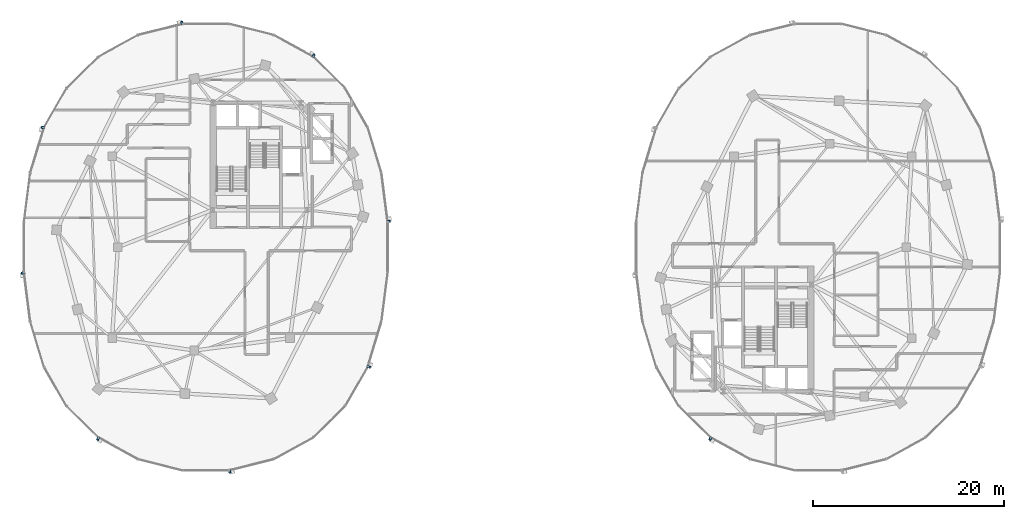
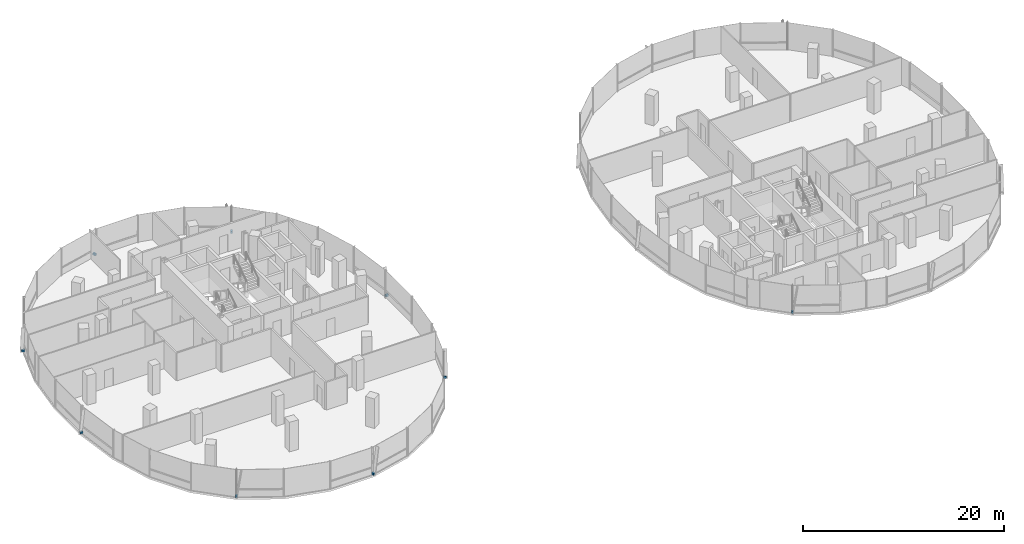
# One storey, part 16 of 22: 9 discrete accessories.
"""IFC4 building model written with IfcOpenShell, lengths in metres."""

from ifc_helpers import new_model, si_unit, direction, frame, origin, origin_2d, place, context, subcontext, project, spatial, rectangle, extrude, material, type_object, element, save


model = new_model("IFC4")

# Units and contexts
model_context = context("Model", 3, precision=1e-05, world=origin(), true_north=direction((0.0, 1.0)))
body_context = subcontext(model_context, "Body", "Model", "MODEL_VIEW")
ifc_project = project(units=[si_unit("LENGTHUNIT", "METRE"), si_unit("AREAUNIT", "SQUARE_METRE"), si_unit("VOLUMEUNIT", "CUBIC_METRE"), si_unit("PLANEANGLEUNIT", "RADIAN"), si_unit("MASSUNIT", "GRAM", prefix="KILO"), si_unit("THERMODYNAMICTEMPERATUREUNIT", "KELVIN"), si_unit("POWERUNIT", "WATT")], contexts=[model_context])

# Site, building, storey
site_placement = place(None, origin())
site = spatial("IfcSite", under=ifc_project, at=site_placement, CompositionType="ELEMENT")
building_placement = place(site_placement, origin())
building = spatial("IfcBuilding", under=site, at=building_placement, Name="Cundina Bronze Exchange", CompositionType="ELEMENT")
storey_placement = place(building_placement, frame((0.0, 0.0, 151.199951171875)))
storey = spatial("IfcBuildingStorey", under=building, at=storey_placement, Name="L39", CompositionType="ELEMENT", Elevation=151.199951171875)

# Discrete accessories
ifc_material = material(Name="Anodised Bronze Aluminium 6063-T6", Category="aluminium")
discrete_accessory_type = type_object("IfcDiscreteAccessoryType", Name="ACC-BRK-FIN", PredefinedType="BRACKET", material=ifc_material)
for number, where, z_axis, x_axis, name in (
    (1, (-12.874267578125, 2.69189453125, 0.10009765625), (0.0, 0.0, 1.0), (-0.126475984253, 0.9919696696, 0.0), "L39 Fin Support Bracket 1"),
    (2, (-20.733154296875, 20.015380859375, 0.10009765625), (0.0, 0.0, 1.0), (-0.875869093438, 0.482548786301, 0.0), "L39 Fin Support Bracket 5"),
    (3, (-34.492919921875, 23.44970703125, 0.10009765625), (0.0, 0.0, 1.0), (-0.970092713791, -0.242734683656, 0.0), "L39 Fin Support Bracket 1"),
    (4, (-49.0458984375, 12.511962890625, 0.10009765625), (0.0, 0.0, 1.0), (-0.290050843957, -0.957011237092, 0.0), "L39 Fin Support Bracket 5"),
    (5, (-51.125732421875, -2.69189453125, 0.10009765625), (0.0, 0.0, 1.0), (0.126475984253, -0.9919696696, 0.0), "L39 Fin Support Bracket 1"),
    (6, (-43.266845703125, -20.015380859375, 0.10009765625), (0.0, 0.0, 1.0), (0.875869093438, -0.482548786301, 0.0), "L39 Fin Support Bracket 5"),
    (7, (-29.507080078125, -23.44970703125, 0.10009765625), (0.0, 0.0, 1.0), (0.970092713791, 0.242734683656, 0.0), "L39 Fin Support Bracket 1"),
    (8, (-14.9541015625, -12.511962890625, 0.10009765625), (0.0, 0.0, 1.0), (0.290050843957, 0.957011237092, 0.0), "L39 Fin Support Bracket 5"),
    (9, (20.733154296875, -20.015380859375, 0.10009765625), (0.0, 0.0, 1.0), (0.875869093438, -0.482548786301, 0.0), "L39 Fin Support Bracket 5"),
):
    element("IfcDiscreteAccessory", number, at=place(storey_placement, frame(where, z_axis=z_axis, x_axis=x_axis)), inside=storey, type_object=discrete_accessory_type, Name=name, PredefinedType="BRACKET", context=body_context, shape_type="SweptSolid", body=[
        extrude(rectangle(XDim=0.219970703125, YDim=0.320068359375, at=origin_2d()), origin(), (0.0, 0.0, 1.0), 0.239990234375),
    ])

save(model, "model.ifc")
